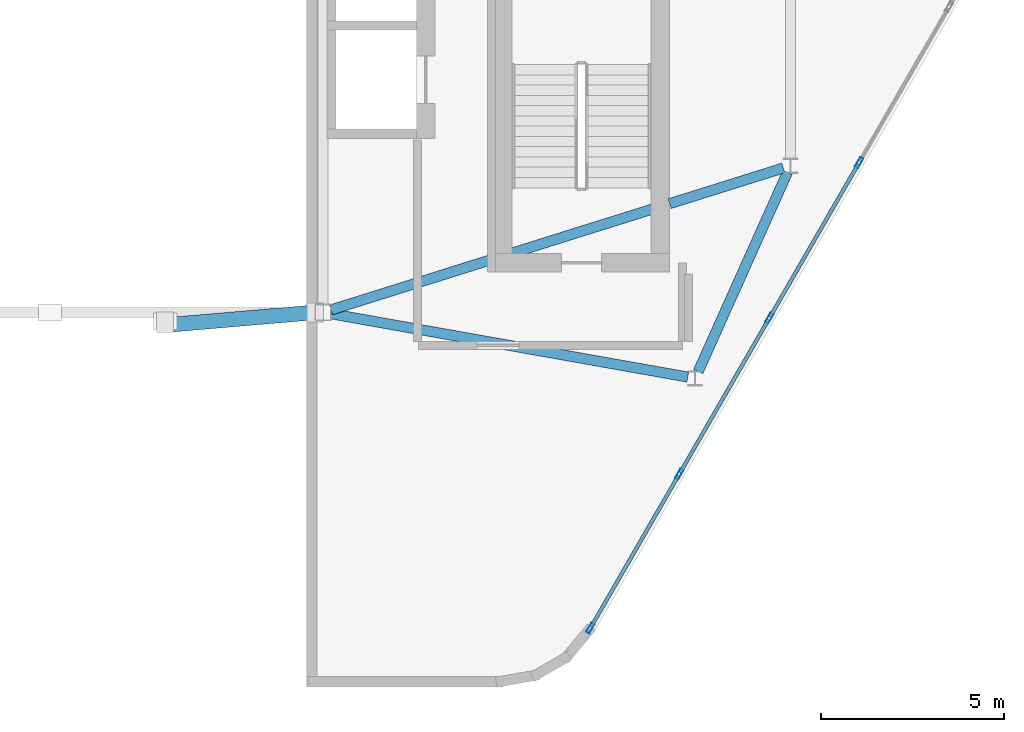
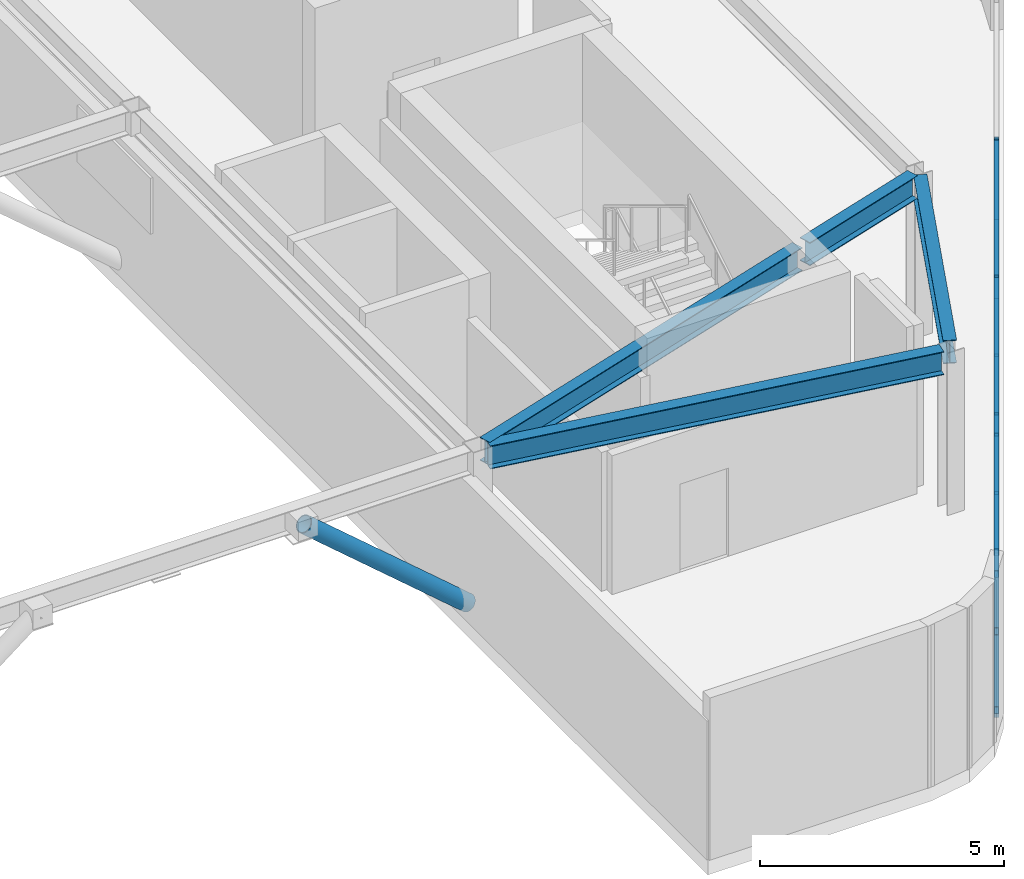
# One storey, part 7 of 16: 14 members, 4 beams, 1 element without a shape of its own.
"""IFC4 building model written with IfcOpenShell, lengths in metres."""

from ifc_helpers import new_model, si_unit, direction, frame, origin, origin_2d, place, context, subcontext, project, spatial, hollow_rectangle, hollow_circle, i_section, extrude, material, material_profile, profile_set, type_object, element, aggregate, save


model = new_model("IFC4")

# Units and contexts
model_context = context("Model", 3, precision=1e-05, world=origin(), true_north=direction((0.0, 1.0)))
body_context = subcontext(model_context, "Body", "Model", "MODEL_VIEW")
ifc_project = project(units=[si_unit("LENGTHUNIT", "METRE"), si_unit("AREAUNIT", "SQUARE_METRE"), si_unit("VOLUMEUNIT", "CUBIC_METRE"), si_unit("PLANEANGLEUNIT", "RADIAN"), si_unit("MASSUNIT", "GRAM", prefix="KILO")], contexts=[model_context])

# Site, building, storey
site_placement = place(None, origin())
site = spatial("IfcSite", under=ifc_project, at=site_placement, CompositionType="ELEMENT")
building_placement = place(site_placement, origin())
building = spatial("IfcBuilding", under=site, at=building_placement, Name="Zuhravey Tower", CompositionType="ELEMENT")
storey_placement = place(building_placement, frame((0.0, 0.0, 370.199951171875)))
storey = spatial("IfcBuildingStorey", under=building, at=storey_placement, Name="L94", CompositionType="ELEMENT", Elevation=370.199951171875)

# Curtain wall, members
ifc_material_1 = material(Name="Thermally broken anodised aluminium", Category="aluminium")
curtain_wall_type = type_object("IfcCurtainWallType", Name="Split-Top Crown Screened Curtain Wall CW6", PredefinedType="NOTDEFINED", material=ifc_material_1)
curtain_wall_placement = place(storey_placement, origin())
curtain_wall = element("IfcCurtainWall", 1, at=curtain_wall_placement, inside=storey, type_object=curtain_wall_type, Name="L94 CW6 CW6-L94-EAST-08", PredefinedType="NOTDEFINED")
ifc_material_2 = material(Name="Anodised aluminium", Category="aluminium")
ifc_material_profile_1 = material_profile(ifc_material_2, hollow_rectangle(XDim=0.10009765625, YDim=0.2900390625, WallThickness=0.006103515625, at=origin_2d()), Name="ALU-RHS-100x290x6")
ifc_profile_set_1 = profile_set([ifc_material_profile_1], Name="Anodised aluminium")
member_type_1 = type_object("IfcMemberType", Name="Heavy Tall-Storey Mullion 100x220", PredefinedType="MULLION", material=ifc_profile_set_1)
member_1_placement = place(storey_placement, frame((58.0751953125, 22.087158203125, 0.0), z_axis=(0.0, 0.0, 1.0), x_axis=(0.866027063754, -0.499997124838, 0.0)))
member_1 = element("IfcMember", 2, at=member_1_placement, type_object=member_type_1, Name="CW6 mullion 3", PredefinedType="MULLION", context=body_context, shape_type="SweptSolid", body=[
    extrude(hollow_rectangle(XDim=0.10009765625, YDim=0.2900390625, WallThickness=0.006103515625, at=origin_2d()), origin(), (0.0, 0.0, 1.0), 4.050048828125),
])
member_2_placement = place(storey_placement, frame((55.622314453125, 17.838623046875, 0.0), z_axis=(0.0, 0.0, 1.0), x_axis=(0.866027063754, -0.499997124838, 0.0)))
member_2 = element("IfcMember", 3, at=member_2_placement, type_object=member_type_1, Name="CW6 mullion 4", PredefinedType="MULLION", context=body_context, shape_type="SweptSolid", body=[
    extrude(hollow_rectangle(XDim=0.10009765625, YDim=0.2900390625, WallThickness=0.006103515625, at=origin_2d()), origin(), (0.0, 0.0, 1.0), 4.050048828125),
])
member_3_placement = place(storey_placement, frame((53.16943359375, 13.590087890625, 0.0), z_axis=(0.0, 0.0, 1.0), x_axis=(0.866027063754, -0.499997124838, 0.0)))
member_3 = element("IfcMember", 4, at=member_3_placement, type_object=member_type_1, Name="CW6 mullion 5", PredefinedType="MULLION", context=body_context, shape_type="SweptSolid", body=[
    extrude(hollow_rectangle(XDim=0.10009765625, YDim=0.2900390625, WallThickness=0.006103515625, at=origin_2d()), origin(), (0.0, 0.0, 1.0), 4.050048828125),
])
member_4_placement = place(storey_placement, frame((50.741455078125, 9.384765625, 0.0), z_axis=(0.0, 0.0, 1.0), x_axis=(0.866027063754, -0.499997124838, 0.0)))
member_4 = element("IfcMember", 5, at=member_4_placement, type_object=member_type_1, Name="CW6 mullion 6", PredefinedType="MULLION", context=body_context, shape_type="SweptSolid", body=[
    extrude(hollow_rectangle(XDim=0.10009765625, YDim=0.2900390625, WallThickness=0.006103515625, at=origin_2d()), origin(), (0.0, 0.0, 1.0), 4.050048828125),
])

# Beams
ifc_material_3 = material(Name="Steel SM355", Category="steel")
ifc_material_profile_2 = material_profile(ifc_material_3, i_section(OverallWidth=0.280029296875, OverallDepth=0.580078125, WebThickness=0.011962890625, FlangeThickness=0.01904296875, at=origin_2d()), Name="H-580x280x12x19")
ifc_profile_set_2 = profile_set([ifc_material_profile_2], Name="Steel SM355")
beam_type = type_object("IfcBeamType", Name="Perimeter Ring Beam H580x280", PredefinedType="BEAM", material=ifc_profile_set_2)
beam_1_placement = place(storey_placement, frame((56.116455078125, 21.81396484375, 3.760009765625), z_axis=(-0.409053547057, -0.912510381113, 0.0), x_axis=(0.912510381113, -0.409053547057, 0.0)))
element("IfcBeam", 6, at=beam_1_placement, inside=storey, type_object=beam_type, Name="L94 PB4 BM-L94-ECR-0-2", PredefinedType="BEAM", context=body_context, shape_type="SweptSolid", body=[
    extrude(i_section(OverallWidth=0.280029296875, OverallDepth=0.580078125, WebThickness=0.011962890625, FlangeThickness=0.01904296875, at=origin_2d()), origin(), (0.0, 0.0, 1.0), 5.9482421875),
])
beam_2_placement = place(storey_placement, frame((53.399169921875, 16.235595703125, 3.760009765625), z_axis=(-0.984637117377, 0.174613135483, 0.0), x_axis=(-0.174613135483, -0.984637117377, 0.0)))
element("IfcBeam", 7, at=beam_2_placement, inside=storey, type_object=beam_type, Name="L94 PB4 BM-L94-ECR-2-4", PredefinedType="BEAM", context=body_context, shape_type="SweptSolid", body=[
    extrude(i_section(OverallWidth=0.280029296875, OverallDepth=0.580078125, WebThickness=0.011962890625, FlangeThickness=0.01904296875, at=origin_2d()), origin(), (0.0, 0.0, 1.0), 9.875244140625),
])
beam_3_placement = place(storey_placement, frame((56.00537109375, 21.93896484375, 3.760009765625), z_axis=(-0.95415195588, -0.299322643799, 0.0), x_axis=(0.299322643799, -0.95415195588, 0.0)))
element("IfcBeam", 8, at=beam_3_placement, inside=storey, type_object=beam_type, Name="L94 PB4 BM-L94-ECR-0-4 (1)", PredefinedType="BEAM", context=body_context, shape_type="SweptSolid", body=[
    extrude(i_section(OverallWidth=0.280029296875, OverallDepth=0.580078125, WebThickness=0.011962890625, FlangeThickness=0.01904296875, at=origin_2d()), origin(), (0.0, 0.0, 1.0), 3.250244140625),
])
beam_4_placement = place(storey_placement, frame((52.680908203125, 20.89599609375, 3.760009765625), z_axis=(-0.954147790341, -0.299335921981, 0.0), x_axis=(0.299335921981, -0.954147790341, 0.0)))
element("IfcBeam", 9, at=beam_4_placement, inside=storey, type_object=beam_type, Name="L94 PB4 BM-L94-ECR-0-4 (2)", PredefinedType="BEAM", context=body_context, shape_type="SweptSolid", body=[
    extrude(i_section(OverallWidth=0.280029296875, OverallDepth=0.580078125, WebThickness=0.011962890625, FlangeThickness=0.01904296875, at=origin_2d()), origin(), (0.0, 0.0, 1.0), 9.445556640625),
])

# Member
ifc_material_profile_3 = material_profile(ifc_material_2, hollow_rectangle(XDim=0.10009765625, YDim=0.179931640625, WallThickness=0.006103515625, at=origin_2d()), Name="ALU-RHS-100x180x6")
ifc_profile_set_3 = profile_set([ifc_material_profile_3], Name="Anodised aluminium")
member_type_2 = type_object("IfcMemberType", Name="Tall-Storey Transom 100x180", PredefinedType="USERDEFINED", material=ifc_profile_set_3)
member_5_placement = place(storey_placement, frame((58.05029296875, 22.0439453125, 0.050048828125), z_axis=(-0.50003466983, -0.866005386223, 0.0), x_axis=(0.866005386223, -0.50003466983, 0.0)))
member_5 = element("IfcMember", 10, at=member_5_placement, type_object=member_type_2, Name="CW6 transom 3.1", ObjectType="TRANSOM", PredefinedType="USERDEFINED", context=body_context, shape_type="SweptSolid", body=[
    extrude(hollow_rectangle(XDim=0.10009765625, YDim=0.179931640625, WallThickness=0.006103515625, at=origin_2d()), origin(), (0.0, 0.0, 1.0), 4.805908203125),
])

member_6_placement = place(storey_placement, frame((58.05029296875, 22.0439453125, 2.025146484375), z_axis=(-0.50003466983, -0.866005386223, 0.0), x_axis=(0.866005386223, -0.50003466983, 0.0)))
member_6 = element("IfcMember", 11, at=member_6_placement, type_object=member_type_2, Name="CW6 transom 3.2", ObjectType="TRANSOM", PredefinedType="USERDEFINED", context=body_context, shape_type="SweptSolid", body=[
    extrude(hollow_rectangle(XDim=0.10009765625, YDim=0.179931640625, WallThickness=0.006103515625, at=origin_2d()), origin(), (0.0, 0.0, 1.0), 4.805908203125),
])

member_7_placement = place(storey_placement, frame((58.05029296875, 22.0439453125, 4.0), z_axis=(-0.50003466983, -0.866005386223, 0.0), x_axis=(0.866005386223, -0.50003466983, 0.0)))
member_7 = element("IfcMember", 12, at=member_7_placement, type_object=member_type_2, Name="CW6 transom 3.3", ObjectType="TRANSOM", PredefinedType="USERDEFINED", context=body_context, shape_type="SweptSolid", body=[
    extrude(hollow_rectangle(XDim=0.10009765625, YDim=0.179931640625, WallThickness=0.006103515625, at=origin_2d()), origin(), (0.0, 0.0, 1.0), 4.805908203125),
])

member_8_placement = place(storey_placement, frame((55.597412109375, 17.79541015625, 0.050048828125), z_axis=(-0.500012672123, -0.866018087407, 0.0), x_axis=(0.866018087407, -0.500012672123, 0.0)))
member_8 = element("IfcMember", 13, at=member_8_placement, type_object=member_type_2, Name="CW6 transom 4.1", ObjectType="TRANSOM", PredefinedType="USERDEFINED", context=body_context, shape_type="SweptSolid", body=[
    extrude(hollow_rectangle(XDim=0.10009765625, YDim=0.179931640625, WallThickness=0.006103515625, at=origin_2d()), origin(), (0.0, 0.0, 1.0), 4.80615234375),
])

member_9_placement = place(storey_placement, frame((55.597412109375, 17.79541015625, 2.025146484375), z_axis=(-0.500012672123, -0.866018087407, 0.0), x_axis=(0.866018087407, -0.500012672123, 0.0)))
member_9 = element("IfcMember", 14, at=member_9_placement, type_object=member_type_2, Name="CW6 transom 4.2", ObjectType="TRANSOM", PredefinedType="USERDEFINED", context=body_context, shape_type="SweptSolid", body=[
    extrude(hollow_rectangle(XDim=0.10009765625, YDim=0.179931640625, WallThickness=0.006103515625, at=origin_2d()), origin(), (0.0, 0.0, 1.0), 4.80615234375),
])

member_10_placement = place(storey_placement, frame((55.597412109375, 17.79541015625, 4.0), z_axis=(-0.500012672123, -0.866018087407, 0.0), x_axis=(0.866018087407, -0.500012672123, 0.0)))
member_10 = element("IfcMember", 15, at=member_10_placement, type_object=member_type_2, Name="CW6 transom 4.3", ObjectType="TRANSOM", PredefinedType="USERDEFINED", context=body_context, shape_type="SweptSolid", body=[
    extrude(hollow_rectangle(XDim=0.10009765625, YDim=0.179931640625, WallThickness=0.006103515625, at=origin_2d()), origin(), (0.0, 0.0, 1.0), 4.80615234375),
])

member_11_placement = place(storey_placement, frame((53.144287109375, 13.546875, 0.050048828125), z_axis=(-0.499965384433, -0.866045388169, 0.0), x_axis=(0.866045388169, -0.499965384433, 0.0)))
member_11 = element("IfcMember", 16, at=member_11_placement, type_object=member_type_2, Name="CW6 transom 5.1", ObjectType="TRANSOM", PredefinedType="USERDEFINED", context=body_context, shape_type="SweptSolid", body=[
    extrude(hollow_rectangle(XDim=0.10009765625, YDim=0.179931640625, WallThickness=0.006103515625, at=origin_2d()), origin(), (0.0, 0.0, 1.0), 4.755615234375),
])

member_12_placement = place(storey_placement, frame((53.144287109375, 13.546875, 2.025146484375), z_axis=(-0.499965384433, -0.866045388169, 0.0), x_axis=(0.866045388169, -0.499965384433, 0.0)))
member_12 = element("IfcMember", 17, at=member_12_placement, type_object=member_type_2, Name="CW6 transom 5.2", ObjectType="TRANSOM", PredefinedType="USERDEFINED", context=body_context, shape_type="SweptSolid", body=[
    extrude(hollow_rectangle(XDim=0.10009765625, YDim=0.179931640625, WallThickness=0.006103515625, at=origin_2d()), origin(), (0.0, 0.0, 1.0), 4.755615234375),
])

member_13_placement = place(storey_placement, frame((53.144287109375, 13.546875, 4.0), z_axis=(-0.499965384433, -0.866045388169, 0.0), x_axis=(0.866045388169, -0.499965384433, 0.0)))
member_13 = element("IfcMember", 18, at=member_13_placement, type_object=member_type_2, Name="CW6 transom 5.3", ObjectType="TRANSOM", PredefinedType="USERDEFINED", context=body_context, shape_type="SweptSolid", body=[
    extrude(hollow_rectangle(XDim=0.10009765625, YDim=0.179931640625, WallThickness=0.006103515625, at=origin_2d()), origin(), (0.0, 0.0, 1.0), 4.755615234375),
])

aggregate(curtain_wall, [member_1, member_2, member_3, member_4, member_5, member_6, member_7, member_8, member_9, member_10, member_11, member_12, member_13])

ifc_material_profile_4 = material_profile(ifc_material_3, hollow_circle(Radius=0.203125, WallThickness=0.02001953125, at=origin_2d()), Name="CHS-406.4x20")
ifc_profile_set_4 = profile_set([ifc_material_profile_4], Name="Steel SM355")
member_type_3 = type_object("IfcMemberType", Name="Wind-Portal Arch Brace CHS406x20", PredefinedType="BRACE", material=ifc_profile_set_4)
member_14_placement = place(storey_placement, frame((43.219482421875, 17.999755859375, 0.181396484375), z_axis=(-0.747122272379, -0.063852005514, 0.661612599265), x_axis=(0.085153511528, -0.996367843457, 0.0)))
element("IfcMember", 19, at=member_14_placement, inside=storey, type_object=member_type_3, Name="L94 Wind-Portal Arch Brace WPB1-1E", PredefinedType="BRACE", context=body_context, shape_type="SweptSolid", body=[
    extrude(hollow_circle(Radius=0.203125, WallThickness=0.02001953125, at=origin_2d()), origin(), (0.0, 0.0, 1.0), 5.44482421875),
])

save(model, "model.ifc")
